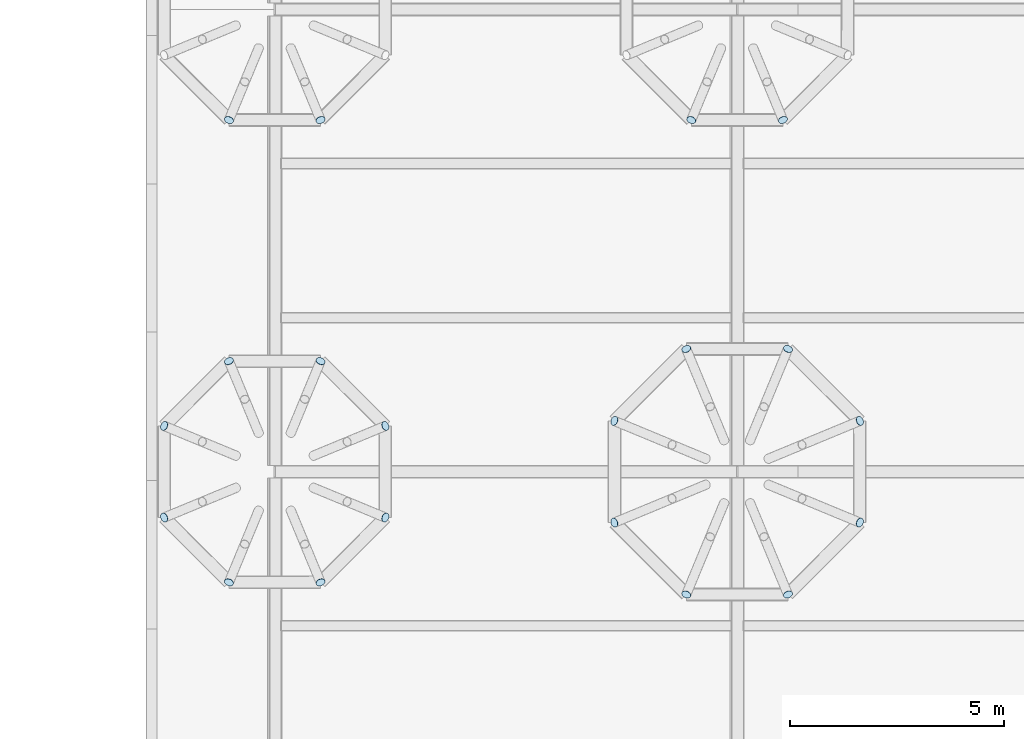
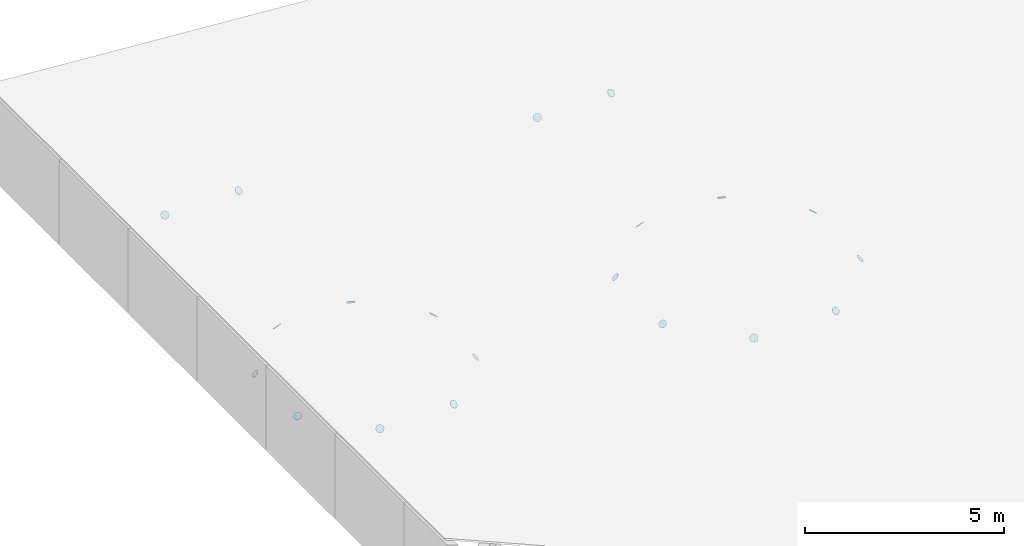
# One storey, part 60 of 95: 20 plates.
"""IFC4 building model written with IfcOpenShell, lengths in metres."""

from ifc_helpers import new_model, si_unit, direction, frame, origin, origin_2d, place, context, subcontext, project, spatial, circle, extrude, material, material_profile, profile_set, type_object, element, save


model = new_model("IFC4")

# Units and contexts
model_context = context("Model", 3, precision=1e-05, world=origin(), true_north=direction((0.0, 1.0)))
body_context = subcontext(model_context, "Body", "Model", "MODEL_VIEW")
ifc_project = project(units=[si_unit("LENGTHUNIT", "METRE"), si_unit("AREAUNIT", "SQUARE_METRE"), si_unit("VOLUMEUNIT", "CUBIC_METRE"), si_unit("PLANEANGLEUNIT", "RADIAN"), si_unit("MASSUNIT", "GRAM", prefix="KILO")], contexts=[model_context])

# Site, building, storey
site_placement = place(None, origin())
site = spatial("IfcSite", under=ifc_project, at=site_placement, CompositionType="ELEMENT")
building_placement = place(site_placement, origin())
building = spatial("IfcBuilding", under=site, at=building_placement, Name="Magnolia Steps Interchange", CompositionType="ELEMENT")
storey_placement = place(building_placement, frame((0.0, 0.0, 4.800048828125)))
storey = spatial("IfcBuildingStorey", under=building, at=storey_placement, Name="L01", CompositionType="ELEMENT", Elevation=4.800048828125)

# Plates
ifc_material = material(Name="Steel Q355B", Category="steel")
ifc_material_profile = material_profile(ifc_material, circle(Radius=0.109619140625, at=origin_2d()), Name="End plate CHS219x10")
ifc_profile_set = profile_set([ifc_material_profile], Name="Steel Q355B")
plate_type = type_object("IfcPlateType", Name="End plate CHS219x10", PredefinedType="SHEET", material=ifc_profile_set)
for number, where, z_axis, x_axis, name in (
    (1, (152.97998046875, 65.068603515625, 3.131103515625), (0.664583318381, 0.275279424158, 0.694658370398), (-0.382683432789, 0.923879532336, 0.0), "End plate Tree rib"),
    (2, (151.46875, 66.580078125, 3.131103515625), (0.275279424158, 0.664583318381, 0.694658370398), (-0.923879532336, 0.382683432789, 0.0), "End plate Tree rib"),
    (3, (149.331298828125, 66.580078125, 3.131103515625), (-0.275279424158, 0.664583318381, 0.694658370398), (-0.923879532336, -0.382683432789, 0.0), "End plate Tree rib"),
    (4, (147.820068359375, 65.068603515625, 3.131103515625), (-0.664583318381, 0.275279424158, 0.694658370398), (-0.382683432789, -0.923879532336, 0.0), "End plate Tree rib"),
    (5, (147.820068359375, 62.931396484375, 3.131103515625), (-0.664583318381, -0.275279424158, 0.694658370398), (0.382683432789, -0.923879532336, 0.0), "End plate Tree rib"),
    (6, (149.331298828125, 61.419921875, 3.131103515625), (-0.275279424158, -0.664583318381, 0.694658370398), (0.923879532336, -0.382683432789, 0.0), "End plate Tree rib"),
    (7, (151.46875, 61.419921875, 3.131103515625), (0.275279424158, -0.664583318381, 0.694658370398), (0.923879532336, 0.382683432789, 0.0), "End plate Tree rib"),
    (8, (152.97998046875, 62.931396484375, 3.131103515625), (0.664583318381, -0.275279424158, 0.694658370398), (0.382683432789, 0.923879532336, 0.0), "End plate Tree rib"),
    (9, (149.331298828125, 72.219970703125, 3.131103515625), (-0.275279424158, -0.664583318381, 0.694658370398), (0.923879532336, -0.382683432789, 0.0), "End plate Tree rib"),
    (10, (151.46875, 72.219970703125, 3.131103515625), (0.275279424158, -0.664583318381, 0.694658370398), (0.923879532336, 0.382683432789, 0.0), "End plate Tree rib"),
    (11, (164.06396484375, 65.186279296875, 2.34375), (0.664583318381, 0.275279424158, 0.694658370398), (-0.382683432789, 0.923879532336, 0.0), "End plate Tree rib"),
    (12, (162.38623046875, 66.864013671875, 2.34375), (0.275279424158, 0.664583318381, 0.694658370398), (-0.923879532336, 0.382683432789, 0.0), "End plate Tree rib"),
    (13, (160.013671875, 66.864013671875, 2.34375), (-0.275279424158, 0.664583318381, 0.694658370398), (-0.923879532336, -0.382683432789, 0.0), "End plate Tree rib"),
    (14, (158.3359375, 65.186279296875, 2.34375), (-0.664583318381, 0.275279424158, 0.694658370398), (-0.382683432789, -0.923879532336, 0.0), "End plate Tree rib"),
    (15, (158.3359375, 62.813720703125, 2.34375), (-0.664583318381, -0.275279424158, 0.694658370398), (0.382683432789, -0.923879532336, 0.0), "End plate Tree rib"),
    (16, (160.013671875, 61.135986328125, 2.34375), (-0.275279424158, -0.664583318381, 0.694658370398), (0.923879532336, -0.382683432789, 0.0), "End plate Tree rib"),
    (17, (162.38623046875, 61.135986328125, 2.34375), (0.275279424158, -0.664583318381, 0.694658370398), (0.923879532336, 0.382683432789, 0.0), "End plate Tree rib"),
    (18, (164.06396484375, 62.813720703125, 2.34375), (0.664583318381, -0.275279424158, 0.694658370398), (0.382683432789, 0.923879532336, 0.0), "End plate Tree rib"),
    (19, (160.13134765625, 72.219970703125, 2.34375), (-0.275279424158, -0.664583318381, 0.694658370398), (0.923879532336, -0.382683432789, 0.0), "End plate Tree rib"),
    (20, (162.268798828125, 72.219970703125, 2.34375), (0.275279424158, -0.664583318381, 0.694658370398), (0.923879532336, 0.382683432789, 0.0), "End plate Tree rib"),
):
    element("IfcPlate", number, at=place(storey_placement, frame(where, z_axis=z_axis, x_axis=x_axis)), inside=storey, type_object=plate_type, Name=name, PredefinedType="SHEET", context=body_context, shape_type="SweptSolid", body=[
        extrude(circle(Radius=0.109619140625, at=origin_2d()), origin(), (0.0, 0.0, 1.0), 0.008056640625),
    ])

save(model, "model.ifc")
